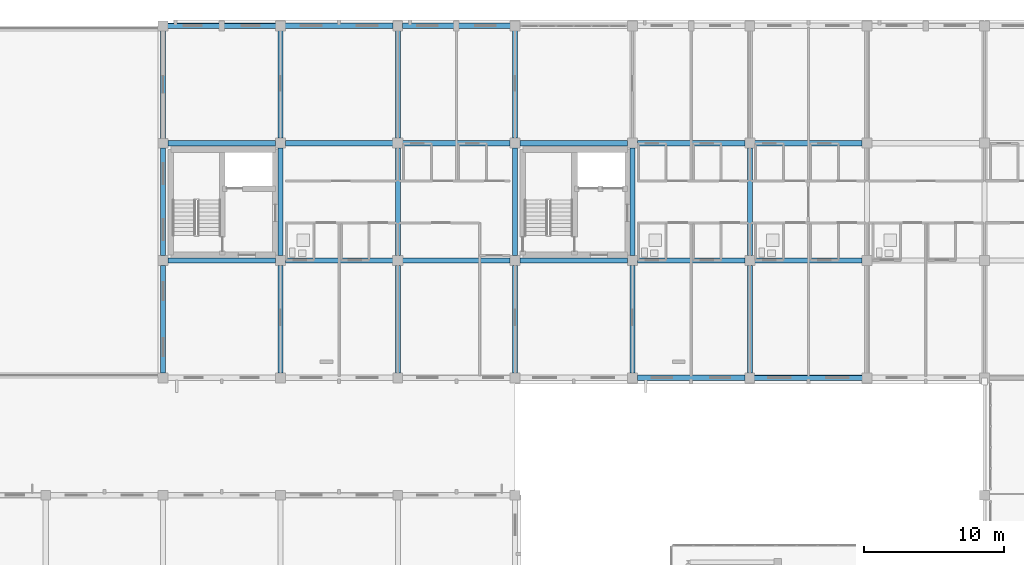
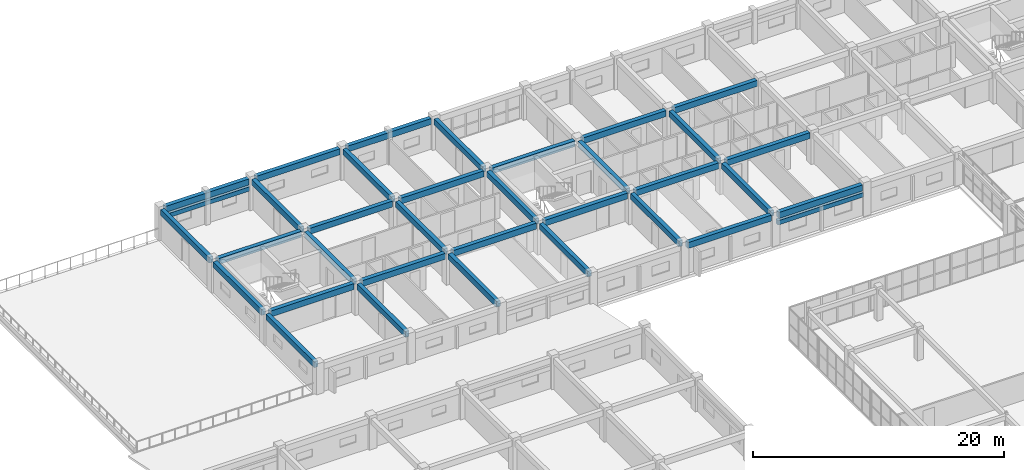
# One storey, part 58 of 148: 35 beams.
"""IFC4 building model written with IfcOpenShell, lengths in metres."""

import ifcopenshell
import ifcopenshell.guid

model = None  # the IFC model being written
_history = None  # IfcOwnerHistory: only IFC2X3 demands one
_inside = {}  # id of a spatial element -> (the spatial element, [elements in it])
_under = {}  # id of a project, library or spatial element -> (it, [spatial elements below it])
_declared = {}  # id of a project -> (the project, [libraries it declares])
_typed = {}  # id of a type object -> (the type object, [elements of that type])
_made_of = {}  # id of a material, layer set ... -> (it, [elements and type objects made of it])


def new_model(schema):
    """Start an empty IFC model of exactly this schema.

    Asked for "IFC4X3", IfcOpenShell would pick the latest addendum, in which some entities
    have other attributes; the version numbers below select the first issue.
    IFC2X3 requires an IfcOwnerHistory on every rooted entity: one is made here for all.
    """
    global model, _history
    if schema == "IFC4X3":
        model = ifcopenshell.file(schema_version=(4, 3, 0, 0))
    else:
        model = ifcopenshell.file(schema=schema)
    _inside.clear()
    _under.clear()
    _declared.clear()
    _typed.clear()
    _made_of.clear()
    _history = None
    if model.schema == "IFC2X3":
        org = make("IfcOrganization", Name="unknown")
        user = make(
            "IfcPersonAndOrganization",
            ThePerson=make("IfcPerson", FamilyName="unknown"),
            TheOrganization=org,
        )
        app = make(
            "IfcApplication",
            ApplicationDeveloper=org,
            Version="unknown",
            ApplicationFullName="unknown",
            ApplicationIdentifier="unknown",
        )
        _history = make(
            "IfcOwnerHistory",
            OwningUser=user,
            OwningApplication=app,
            ChangeAction="ADDED",
            CreationDate=0,
        )
    return model


def make(cls, **values):
    """One entity of the class cls with the attributes given. An attribute that is None is left unset."""
    return model.create_entity(
        cls, **{name: value for name, value in values.items() if value is not None}
    )


def rooted(cls, **values):
    """An entity with a GlobalId (a new one), such as an element, a storey or a relation."""
    return make(cls, GlobalId=ifcopenshell.guid.new(), OwnerHistory=_history, **values)


def si_unit(unit_type, name, prefix=None):
    """IfcSIUnit, for example si_unit("LENGTHUNIT", "METRE", prefix="MILLI")."""
    return make("IfcSIUnit", UnitType=unit_type, Prefix=prefix, Name=name)


def assignment(units):
    """IfcUnitAssignment: the units of a project."""
    return None if units is None else make("IfcUnitAssignment", Units=units)


def point(xyz):
    """IfcCartesianPoint."""
    return None if xyz is None else make("IfcCartesianPoint", Coordinates=xyz)


def direction(xyz):
    """IfcDirection."""
    return None if xyz is None else make("IfcDirection", DirectionRatios=xyz)


def frame(location, z_axis=None, x_axis=None):
    """IfcAxis2Placement3D, a coordinate frame: its origin and axes. An axis left out is left unset."""
    return make(
        "IfcAxis2Placement3D",
        Location=point(location),
        Axis=direction(z_axis),
        RefDirection=direction(x_axis),
    )


def frame_2d(location, x_axis=None):
    """IfcAxis2Placement2D, a coordinate frame in the plane: its origin and x axis."""
    return make(
        "IfcAxis2Placement2D", Location=point(location), RefDirection=direction(x_axis)
    )


def origin():
    """The frame at (0, 0, 0) with its axes left unset."""
    return frame((0.0, 0.0, 0.0))


def origin_2d():
    """The frame at (0, 0) in the plane with its x axis left unset."""
    return frame_2d((0.0, 0.0))


def place(relative_to, where):
    """IfcLocalPlacement: puts the frame where relative to a parent placement (None: the world)."""
    return make(
        "IfcLocalPlacement", PlacementRelTo=relative_to, RelativePlacement=where
    )


def context(
    kind, dimensions, precision=None, world=None, true_north=None, identifier=None
):
    """IfcGeometricRepresentationContext, for example the 3D "Model" context."""
    return make(
        "IfcGeometricRepresentationContext",
        ContextIdentifier=identifier,
        ContextType=kind,
        CoordinateSpaceDimension=dimensions,
        Precision=precision,
        WorldCoordinateSystem=world,
        TrueNorth=true_north,
    )


def subcontext(parent, identifier, kind, view, scale=None):
    """IfcGeometricRepresentationSubContext, for example "Body" below "Model"."""
    return make(
        "IfcGeometricRepresentationSubContext",
        ContextIdentifier=identifier,
        ContextType=kind,
        ParentContext=parent,
        TargetScale=scale,
        TargetView=view,
    )


def project(units=None, contexts=None):
    """IfcProject with its units and contexts."""
    return rooted(
        "IfcProject",
        Name="project",
        RepresentationContexts=contexts,
        UnitsInContext=assignment(units),
    )


def spatial(cls, under=None, at=None, **own):
    """A site, building, storey or space (cls), placed at a placement, below another one or the project."""
    s = rooted(cls, ObjectPlacement=at, **own)
    if under is not None:
        _under.setdefault(under.id(), (under, []))[1].append(s)
    return s


def profile(cls, at=None, kind="AREA", **sizes):
    """A parametric profile (cls). Its sizes go by their IFC names, for example OverallWidth=200.0."""
    return make(cls, ProfileType=kind, Position=at, **sizes)


def rectangle(**sizes):
    """IfcRectangleProfileDef."""
    return profile("IfcRectangleProfileDef", **sizes)


def extrude(swept, where, along, depth):
    """IfcExtrudedAreaSolid: the profile swept, set in the frame where, extruded along a direction by depth."""
    return make(
        "IfcExtrudedAreaSolid",
        SweptArea=swept,
        Position=where,
        ExtrudedDirection=direction(along),
        Depth=depth,
    )


def shape(context_of_items, identifier, shape_type, items):
    """IfcShapeRepresentation: the items that make up one representation, for example the "Body"."""
    return make(
        "IfcShapeRepresentation",
        ContextOfItems=context_of_items,
        RepresentationIdentifier=identifier,
        RepresentationType=shape_type,
        Items=items,
    )


def material(Name=None, Category=None):
    """IfcMaterial."""
    return make("IfcMaterial", Name=Name, Category=Category)


def material_profile(
    of_material, cross_section, Name=None, Category=None, Priority=None
):
    """IfcMaterialProfile: a cross section and its material."""
    return make(
        "IfcMaterialProfile",
        Name=Name,
        Material=of_material,
        Profile=cross_section,
        Priority=Priority,
        Category=Category,
    )


def profile_set(profiles, Name=None, composite=None):
    """IfcMaterialProfileSet."""
    return make(
        "IfcMaterialProfileSet",
        Name=Name,
        MaterialProfiles=profiles,
        CompositeProfile=composite,
    )


def made_of(thing, what):
    """Note that an element or type object is made of a material, layer set ...; save() writes the relation."""
    if what is not None:
        _made_of.setdefault(what.id(), (what, []))[1].append(thing)
    return thing


def type_object(cls, material=None, **own):
    """A type object (cls), such as IfcWallType, which elements share."""
    return made_of(rooted(cls, **own), material)


def element(
    cls,
    number,
    at=None,
    inside=None,
    cuts=None,
    type_object=None,
    material=None,
    context=None,
    identifier="Body",
    shape_type=None,
    held_by="IfcProductDefinitionShape",
    body=None,
    shapes=None,
    **own,
):
    """One element of the class cls, such as IfcWall. Its Tag is "e" and its number.

    at: its placement. inside: the storey or other place that contains it. cuts: it is an
    opening in that element (IfcRelVoidsElement). A single representation is given by context,
    identifier, shape_type and body (its items); several are given by shapes. held_by: the class
    of the entity that holds the representations. save() writes the other relations.
    """
    e = rooted(cls, Tag="e%d" % number, ObjectPlacement=at, **own)
    if body is not None:
        shapes = [shape(context, identifier, shape_type, body)]
    if shapes is not None:
        e.Representation = make(held_by, Representations=shapes)
    if inside is not None:
        _inside.setdefault(inside.id(), (inside, []))[1].append(e)
    if cuts is not None:
        rooted(
            "IfcRelVoidsElement", RelatingBuildingElement=cuts, RelatedOpeningElement=e
        )
    if type_object is not None:
        _typed.setdefault(type_object.id(), (type_object, []))[1].append(e)
    return made_of(e, material)


def aggregate(whole, parts):
    """IfcRelAggregates: a whole, such as a stair, and the parts it consists of."""
    return rooted("IfcRelAggregates", RelatingObject=whole, RelatedObjects=parts)


def save(model, path):
    """Write the relations noted so far, then the file.

    IfcRelAggregates (storeys below a building ...), IfcRelContainedInSpatialStructure (elements
    in a storey), IfcRelDefinesByType, IfcRelAssociatesMaterial and IfcRelDeclares: one each for
    every whole, place, type object, material and project.
    """
    for whole, parts in _under.values():
        aggregate(whole, parts)
    for where, things in _inside.values():
        rooted(
            "IfcRelContainedInSpatialStructure",
            RelatedElements=things,
            RelatingStructure=where,
        )
    for kind, things in _typed.values():
        rooted("IfcRelDefinesByType", RelatedObjects=things, RelatingType=kind)
    for what, things in _made_of.values():
        rooted("IfcRelAssociatesMaterial", RelatedObjects=things, RelatingMaterial=what)
    for by, libraries in _declared.values():
        rooted("IfcRelDeclares", RelatingContext=by, RelatedDefinitions=libraries)
    model.write(path)


model = new_model("IFC4")

# Units and contexts
model_context = context("Model", 3, precision=1e-05, world=origin(), true_north=direction((0.0, 1.0)))
body_context = subcontext(model_context, "Body", "Model", "MODEL_VIEW")
ifc_project = project(units=[si_unit("LENGTHUNIT", "METRE"), si_unit("AREAUNIT", "SQUARE_METRE"), si_unit("VOLUMEUNIT", "CUBIC_METRE"), si_unit("PLANEANGLEUNIT", "RADIAN"), si_unit("MASSUNIT", "GRAM", prefix="KILO")], contexts=[model_context])

# Site, building, storey
site_placement = place(None, origin())
site = spatial("IfcSite", under=ifc_project, at=site_placement, CompositionType="ELEMENT")
building_placement = place(site_placement, origin())
building = spatial("IfcBuilding", under=site, at=building_placement, Name="Trelvath General Hospital", CompositionType="ELEMENT")
storey_placement = place(building_placement, frame((0.0, 0.0, 12.89990234375)))
storey = spatial("IfcBuildingStorey", under=building, at=storey_placement, Name="L03", CompositionType="ELEMENT", Elevation=12.89990234375)

# Beams
ifc_material_1 = material(Name="Concrete C35/45", Category="concrete")
ifc_material_profile_1 = material_profile(ifc_material_1, rectangle(XDim=0.360107421875, YDim=0.56005859375, at=origin_2d()), Name="RCB360x560")
ifc_profile_set_1 = profile_set([ifc_material_profile_1], Name="Concrete C35/45")
beam_type_1 = type_object("IfcBeamType", Name="Beam RC360x560", PredefinedType="BEAM", material=ifc_profile_set_1)
for number, where, z_axis, x_axis, name in (
    (1, (16.800048828125, 92.7451171875, 2.739990234375), (0.0, 1.0, 0.0), (-1.0, 0.0, 0.0), "Grid Beam BY-302L"),
    (2, (16.800048828125, 101.14501953125, 2.739990234375), (0.0, 1.0, 0.0), (-1.0, 0.0, 0.0), "Grid Beam BY-302M"),
    (3, (16.800048828125, 109.544921875, 2.739990234375), (0.0, 1.0, 0.0), (-1.0, 0.0, 0.0), "Grid Beam BY-302N"),
):
    element("IfcBeam", number, at=place(storey_placement, frame(where, z_axis=z_axis, x_axis=x_axis)), inside=storey, type_object=beam_type_1, Name=name, PredefinedType="BEAM", context=body_context, shape_type="SweptSolid", body=[
        extrude(rectangle(XDim=0.360107421875, YDim=0.56005859375, at=origin_2d()), origin(), (0.0, 0.0, 1.0), 7.7099609375),
    ])
beam_1_placement = place(storey_placement, frame((25.199951171875, 92.7451171875, 2.739990234375), z_axis=(0.0, 1.0, 0.0), x_axis=(-1.0, 0.0, 0.0)))
element("IfcBeam", 4, at=beam_1_placement, inside=storey, type_object=beam_type_1, Name="Grid Beam BY-303L", PredefinedType="BEAM", context=body_context, shape_type="SweptSolid", body=[
    extrude(rectangle(XDim=0.360107421875, YDim=0.56005859375, at=origin_2d()), origin(), (0.0, 0.0, 1.0), 7.699951171875),
])
beam_2_placement = place(storey_placement, frame((25.199951171875, 101.155029296875, 2.739990234375), z_axis=(0.0, 1.0, 0.0), x_axis=(-1.0, 0.0, 0.0)))
element("IfcBeam", 5, at=beam_2_placement, inside=storey, type_object=beam_type_1, Name="Grid Beam BY-303M", PredefinedType="BEAM", context=body_context, shape_type="SweptSolid", body=[
    extrude(rectangle(XDim=0.360107421875, YDim=0.56005859375, at=origin_2d()), origin(), (0.0, 0.0, 1.0), 7.68994140625),
])
for number, where, z_axis, x_axis, name in (
    (6, (25.199951171875, 109.554931640625, 2.739990234375), (0.0, 1.0, 0.0), (-1.0, 0.0, 0.0), "Grid Beam BY-303N"),
    (7, (33.60009765625, 92.7451171875, 2.739990234375), (0.0, 1.0, 0.0), (-1.0, 0.0, 0.0), "Grid Beam BY-304L"),
):
    element("IfcBeam", number, at=place(storey_placement, frame(where, z_axis=z_axis, x_axis=x_axis)), inside=storey, type_object=beam_type_1, Name=name, PredefinedType="BEAM", context=body_context, shape_type="SweptSolid", body=[
        extrude(rectangle(XDim=0.360107421875, YDim=0.56005859375, at=origin_2d()), origin(), (0.0, 0.0, 1.0), 7.699951171875),
    ])
beam_3_placement = place(storey_placement, frame((33.60009765625, 101.155029296875, 2.739990234375), z_axis=(0.0, 1.0, 0.0), x_axis=(-1.0, 0.0, 0.0)))
element("IfcBeam", 8, at=beam_3_placement, inside=storey, type_object=beam_type_1, Name="Grid Beam BY-304M", PredefinedType="BEAM", context=body_context, shape_type="SweptSolid", body=[
    extrude(rectangle(XDim=0.360107421875, YDim=0.56005859375, at=origin_2d()), origin(), (0.0, 0.0, 1.0), 7.68994140625),
])
for number, where, z_axis, x_axis, name in (
    (9, (33.60009765625, 109.554931640625, 2.739990234375), (0.0, 1.0, 0.0), (-1.0, 0.0, 0.0), "Grid Beam BY-304N"),
    (10, (42.0, 92.7451171875, 2.739990234375), (0.0, 1.0, 0.0), (-1.0, 0.0, 0.0), "Grid Beam BY-305L"),
):
    element("IfcBeam", number, at=place(storey_placement, frame(where, z_axis=z_axis, x_axis=x_axis)), inside=storey, type_object=beam_type_1, Name=name, PredefinedType="BEAM", context=body_context, shape_type="SweptSolid", body=[
        extrude(rectangle(XDim=0.360107421875, YDim=0.56005859375, at=origin_2d()), origin(), (0.0, 0.0, 1.0), 7.699951171875),
    ])
beam_4_placement = place(storey_placement, frame((42.0, 101.155029296875, 2.739990234375), z_axis=(0.0, 1.0, 0.0), x_axis=(-1.0, 0.0, 0.0)))
element("IfcBeam", 11, at=beam_4_placement, inside=storey, type_object=beam_type_1, Name="Grid Beam BY-305M", PredefinedType="BEAM", context=body_context, shape_type="SweptSolid", body=[
    extrude(rectangle(XDim=0.360107421875, YDim=0.56005859375, at=origin_2d()), origin(), (0.0, 0.0, 1.0), 7.68994140625),
])
for number, where, z_axis, x_axis, name in (
    (12, (42.0, 109.554931640625, 2.739990234375), (0.0, 1.0, 0.0), (-1.0, 0.0, 0.0), "Grid Beam BY-305N"),
    (13, (50.39990234375, 92.7451171875, 2.739990234375), (0.0, 1.0, 0.0), (-1.0, 0.0, 0.0), "Grid Beam BY-306L"),
):
    element("IfcBeam", number, at=place(storey_placement, frame(where, z_axis=z_axis, x_axis=x_axis)), inside=storey, type_object=beam_type_1, Name=name, PredefinedType="BEAM", context=body_context, shape_type="SweptSolid", body=[
        extrude(rectangle(XDim=0.360107421875, YDim=0.56005859375, at=origin_2d()), origin(), (0.0, 0.0, 1.0), 7.699951171875),
    ])
beam_5_placement = place(storey_placement, frame((50.39990234375, 101.155029296875, 2.739990234375), z_axis=(0.0, 1.0, 0.0), x_axis=(-1.0, 0.0, 0.0)))
element("IfcBeam", 14, at=beam_5_placement, inside=storey, type_object=beam_type_1, Name="Grid Beam BY-306M", PredefinedType="BEAM", context=body_context, shape_type="SweptSolid", body=[
    extrude(rectangle(XDim=0.360107421875, YDim=0.56005859375, at=origin_2d()), origin(), (0.0, 0.0, 1.0), 7.68994140625),
])
beam_6_placement = place(storey_placement, frame((58.800048828125, 92.7451171875, 2.739990234375), z_axis=(0.0, 1.0, 0.0), x_axis=(-1.0, 0.0, 0.0)))
element("IfcBeam", 15, at=beam_6_placement, inside=storey, type_object=beam_type_1, Name="Grid Beam BY-307L", PredefinedType="BEAM", context=body_context, shape_type="SweptSolid", body=[
    extrude(rectangle(XDim=0.360107421875, YDim=0.56005859375, at=origin_2d()), origin(), (0.0, 0.0, 1.0), 7.699951171875),
])
beam_7_placement = place(storey_placement, frame((58.800048828125, 101.155029296875, 2.739990234375), z_axis=(0.0, 1.0, 0.0), x_axis=(-1.0, 0.0, 0.0)))
element("IfcBeam", 16, at=beam_7_placement, inside=storey, type_object=beam_type_1, Name="Grid Beam BY-307M", PredefinedType="BEAM", context=body_context, shape_type="SweptSolid", body=[
    extrude(rectangle(XDim=0.360107421875, YDim=0.56005859375, at=origin_2d()), origin(), (0.0, 0.0, 1.0), 7.68994140625),
])
ifc_material_2 = material(Name="Concrete C35/45", Category="concrete")
ifc_material_profile_2 = material_profile(ifc_material_2, rectangle(XDim=0.3798828125, YDim=0.580078125, at=origin_2d()), Name="RCB380x580")
ifc_profile_set_2 = profile_set([ifc_material_profile_2], Name="Concrete C35/45")
beam_type_2 = type_object("IfcBeamType", Name="Beam RC380x580", PredefinedType="BEAM", material=ifc_profile_set_2)
for number, where, z_axis, x_axis, name in (
    (17, (17.14501953125, 100.800048828125, 2.72998046875), (1.0, 0.0, 0.0), (0.0, 1.0, 0.0), "Grid Beam BX-302M"),
    (18, (17.14501953125, 109.199951171875, 2.72998046875), (1.0, 0.0, 0.0), (0.0, 1.0, 0.0), "Grid Beam BX-302N"),
):
    element("IfcBeam", number, at=place(storey_placement, frame(where, z_axis=z_axis, x_axis=x_axis)), inside=storey, type_object=beam_type_2, Name=name, PredefinedType="BEAM", context=body_context, shape_type="SweptSolid", body=[
        extrude(rectangle(XDim=0.3798828125, YDim=0.580078125, at=origin_2d()), origin(), (0.0, 0.0, 1.0), 7.699951171875),
    ])
beam_8_placement = place(storey_placement, frame((17.14501953125, 117.60009765625, 2.72998046875), z_axis=(1.0, 0.0, 0.0), x_axis=(0.0, 1.0, 0.0)))
element("IfcBeam", 19, at=beam_8_placement, inside=storey, type_object=beam_type_2, Name="Grid Beam BX-302O", PredefinedType="BEAM", context=body_context, shape_type="SweptSolid", body=[
    extrude(rectangle(XDim=0.3798828125, YDim=0.580078125, at=origin_2d()), origin(), (0.0, 0.0, 1.0), 7.7099609375),
])
for number, where, z_axis, x_axis, name in (
    (20, (25.554931640625, 100.800048828125, 2.72998046875), (1.0, 0.0, 0.0), (0.0, 1.0, 0.0), "Grid Beam BX-303M"),
    (21, (25.554931640625, 109.199951171875, 2.72998046875), (1.0, 0.0, 0.0), (0.0, 1.0, 0.0), "Grid Beam BX-303N"),
):
    element("IfcBeam", number, at=place(storey_placement, frame(where, z_axis=z_axis, x_axis=x_axis)), inside=storey, type_object=beam_type_2, Name=name, PredefinedType="BEAM", context=body_context, shape_type="SweptSolid", body=[
        extrude(rectangle(XDim=0.3798828125, YDim=0.580078125, at=origin_2d()), origin(), (0.0, 0.0, 1.0), 7.690185546875),
    ])
beam_9_placement = place(storey_placement, frame((25.544921875, 117.60009765625, 2.72998046875), z_axis=(1.0, 0.0, 0.0), x_axis=(0.0, 1.0, 0.0)))
element("IfcBeam", 22, at=beam_9_placement, inside=storey, type_object=beam_type_2, Name="Grid Beam BX-303O", PredefinedType="BEAM", context=body_context, shape_type="SweptSolid", body=[
    extrude(rectangle(XDim=0.3798828125, YDim=0.580078125, at=origin_2d()), origin(), (0.0, 0.0, 1.0), 7.7099609375),
])
for number, where, z_axis, x_axis, name in (
    (23, (33.955078125, 100.800048828125, 2.72998046875), (1.0, 0.0, 0.0), (0.0, 1.0, 0.0), "Grid Beam BX-304M"),
    (24, (33.955078125, 109.199951171875, 2.72998046875), (1.0, 0.0, 0.0), (0.0, 1.0, 0.0), "Grid Beam BX-304N"),
):
    element("IfcBeam", number, at=place(storey_placement, frame(where, z_axis=z_axis, x_axis=x_axis)), inside=storey, type_object=beam_type_2, Name=name, PredefinedType="BEAM", context=body_context, shape_type="SweptSolid", body=[
        extrude(rectangle(XDim=0.3798828125, YDim=0.580078125, at=origin_2d()), origin(), (0.0, 0.0, 1.0), 7.68994140625),
    ])
beam_10_placement = place(storey_placement, frame((33.945068359375, 117.60009765625, 2.72998046875), z_axis=(1.0, 0.0, 0.0), x_axis=(0.0, 1.0, 0.0)))
element("IfcBeam", 25, at=beam_10_placement, inside=storey, type_object=beam_type_2, Name="Grid Beam BX-304O", PredefinedType="BEAM", context=body_context, shape_type="SweptSolid", body=[
    extrude(rectangle(XDim=0.3798828125, YDim=0.580078125, at=origin_2d()), origin(), (0.0, 0.0, 1.0), 7.7099609375),
])
for number, where, z_axis, x_axis, name in (
    (26, (42.35498046875, 100.800048828125, 2.72998046875), (1.0, 0.0, 0.0), (0.0, 1.0, 0.0), "Grid Beam BX-305M"),
    (27, (42.35498046875, 109.199951171875, 2.72998046875), (1.0, 0.0, 0.0), (0.0, 1.0, 0.0), "Grid Beam BX-305N"),
):
    element("IfcBeam", number, at=place(storey_placement, frame(where, z_axis=z_axis, x_axis=x_axis)), inside=storey, type_object=beam_type_2, Name=name, PredefinedType="BEAM", context=body_context, shape_type="SweptSolid", body=[
        extrude(rectangle(XDim=0.3798828125, YDim=0.580078125, at=origin_2d()), origin(), (0.0, 0.0, 1.0), 7.68994140625),
    ])
beam_11_placement = place(storey_placement, frame((50.7451171875, 92.39990234375, 2.72998046875), z_axis=(1.0, 0.0, 0.0), x_axis=(0.0, 1.0, 0.0)))
element("IfcBeam", 28, at=beam_11_placement, inside=storey, type_object=beam_type_2, Name="Grid Beam BX-306L", PredefinedType="BEAM", context=body_context, shape_type="SweptSolid", body=[
    extrude(rectangle(XDim=0.3798828125, YDim=0.580078125, at=origin_2d()), origin(), (0.0, 0.0, 1.0), 7.7099609375),
])
for number, where, z_axis, x_axis, name in (
    (29, (50.7548828125, 100.800048828125, 2.72998046875), (1.0, 0.0, 0.0), (0.0, 1.0, 0.0), "Grid Beam BX-306M"),
    (30, (50.7548828125, 109.199951171875, 2.72998046875), (1.0, 0.0, 0.0), (0.0, 1.0, 0.0), "Grid Beam BX-306N"),
):
    element("IfcBeam", number, at=place(storey_placement, frame(where, z_axis=z_axis, x_axis=x_axis)), inside=storey, type_object=beam_type_2, Name=name, PredefinedType="BEAM", context=body_context, shape_type="SweptSolid", body=[
        extrude(rectangle(XDim=0.3798828125, YDim=0.580078125, at=origin_2d()), origin(), (0.0, 0.0, 1.0), 7.690185546875),
    ])
beam_12_placement = place(storey_placement, frame((59.14501953125, 92.39990234375, 2.72998046875), z_axis=(1.0, 0.0, 0.0), x_axis=(0.0, 1.0, 0.0)))
element("IfcBeam", 31, at=beam_12_placement, inside=storey, type_object=beam_type_2, Name="Grid Beam BX-307L", PredefinedType="BEAM", context=body_context, shape_type="SweptSolid", body=[
    extrude(rectangle(XDim=0.3798828125, YDim=0.580078125, at=origin_2d()), origin(), (0.0, 0.0, 1.0), 7.7099609375),
])
for number, where, z_axis, x_axis, name in (
    (32, (59.155029296875, 100.800048828125, 2.72998046875), (1.0, 0.0, 0.0), (0.0, 1.0, 0.0), "Grid Beam BX-307M"),
    (33, (59.155029296875, 109.199951171875, 2.72998046875), (1.0, 0.0, 0.0), (0.0, 1.0, 0.0), "Grid Beam BX-307N"),
):
    element("IfcBeam", number, at=place(storey_placement, frame(where, z_axis=z_axis, x_axis=x_axis)), inside=storey, type_object=beam_type_2, Name=name, PredefinedType="BEAM", context=body_context, shape_type="SweptSolid", body=[
        extrude(rectangle(XDim=0.3798828125, YDim=0.580078125, at=origin_2d()), origin(), (0.0, 0.0, 1.0), 7.68994140625),
    ])
ifc_material_3 = material(Name="Precast concrete C40/50", Category="concrete")
ifc_material_profile_3 = material_profile(ifc_material_3, rectangle(XDim=0.35009765625, YDim=0.419921875, at=origin_2d()), Name="PCL350x420")
ifc_profile_set_3 = profile_set([ifc_material_profile_3], Name="Precast concrete C40/50")
beam_type_3 = type_object("IfcBeamType", Name="Lintel PC350x420", PredefinedType="LINTEL", material=ifc_profile_set_3)
for number, where, z_axis, x_axis, name in (
    (34, (17.06494140625, 117.60009765625, 2.02001953125), (1.0, 0.0, 0.0), (0.0, 1.0, 0.0), "Precast Window Brow Lintel L03-346"),
    (35, (66.93505859375, 92.39990234375, 2.02001953125), (-1.0, 0.0, 0.0), (0.0, -1.0, 0.0), "Precast Window Brow Lintel L03-374"),
):
    element("IfcBeam", number, at=place(storey_placement, frame(where, z_axis=z_axis, x_axis=x_axis)), inside=storey, type_object=beam_type_3, Name=name, PredefinedType="LINTEL", context=body_context, shape_type="SweptSolid", body=[
        extrude(rectangle(XDim=0.35009765625, YDim=0.419921875, at=origin_2d()), origin(), (0.0, 0.0, 1.0), 7.8701171875),
    ])

save(model, "model.ifc")
